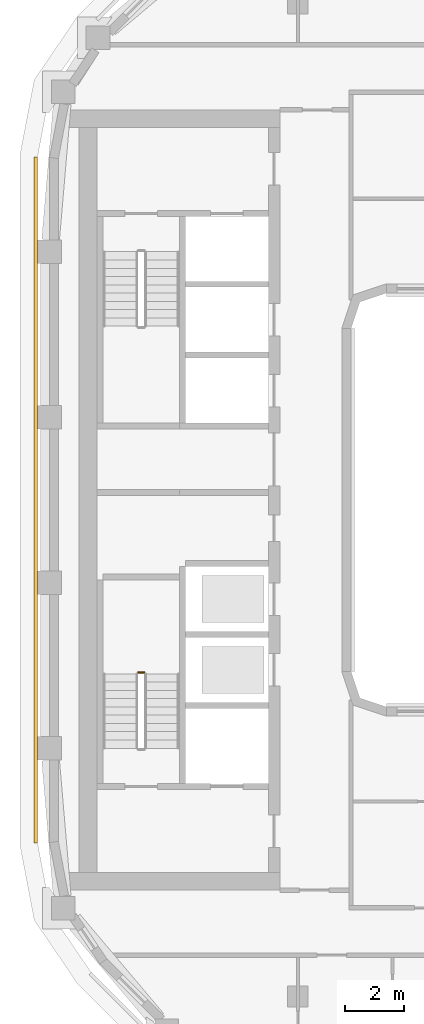
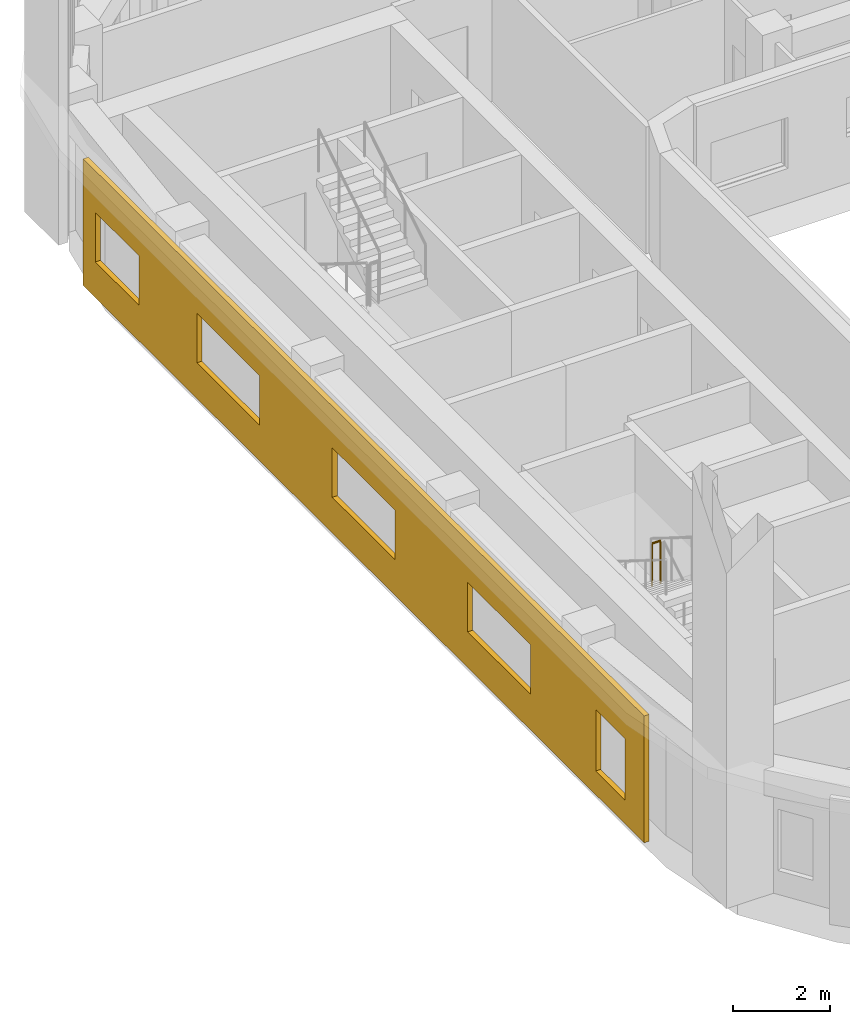
# One storey, part 12 of 19: 1 covering, 1 railing.
"""IFC4 building model written with IfcOpenShell, lengths in metres."""

import ifcopenshell
import ifcopenshell.guid

model = None  # the IFC model being written
_history = None  # IfcOwnerHistory: only IFC2X3 demands one
_inside = {}  # id of a spatial element -> (the spatial element, [elements in it])
_under = {}  # id of a project, library or spatial element -> (it, [spatial elements below it])
_declared = {}  # id of a project -> (the project, [libraries it declares])
_typed = {}  # id of a type object -> (the type object, [elements of that type])
_made_of = {}  # id of a material, layer set ... -> (it, [elements and type objects made of it])


def new_model(schema):
    """Start an empty IFC model of exactly this schema.

    Asked for "IFC4X3", IfcOpenShell would pick the latest addendum, in which some entities
    have other attributes; the version numbers below select the first issue.
    IFC2X3 requires an IfcOwnerHistory on every rooted entity: one is made here for all.
    """
    global model, _history
    if schema == "IFC4X3":
        model = ifcopenshell.file(schema_version=(4, 3, 0, 0))
    else:
        model = ifcopenshell.file(schema=schema)
    _inside.clear()
    _under.clear()
    _declared.clear()
    _typed.clear()
    _made_of.clear()
    _history = None
    if model.schema == "IFC2X3":
        org = make("IfcOrganization", Name="unknown")
        user = make(
            "IfcPersonAndOrganization",
            ThePerson=make("IfcPerson", FamilyName="unknown"),
            TheOrganization=org,
        )
        app = make(
            "IfcApplication",
            ApplicationDeveloper=org,
            Version="unknown",
            ApplicationFullName="unknown",
            ApplicationIdentifier="unknown",
        )
        _history = make(
            "IfcOwnerHistory",
            OwningUser=user,
            OwningApplication=app,
            ChangeAction="ADDED",
            CreationDate=0,
        )
    return model


def make(cls, **values):
    """One entity of the class cls with the attributes given. An attribute that is None is left unset."""
    return model.create_entity(
        cls, **{name: value for name, value in values.items() if value is not None}
    )


def rooted(cls, **values):
    """An entity with a GlobalId (a new one), such as an element, a storey or a relation."""
    return make(cls, GlobalId=ifcopenshell.guid.new(), OwnerHistory=_history, **values)


def si_unit(unit_type, name, prefix=None):
    """IfcSIUnit, for example si_unit("LENGTHUNIT", "METRE", prefix="MILLI")."""
    return make("IfcSIUnit", UnitType=unit_type, Prefix=prefix, Name=name)


def assignment(units):
    """IfcUnitAssignment: the units of a project."""
    return None if units is None else make("IfcUnitAssignment", Units=units)


def point(xyz):
    """IfcCartesianPoint."""
    return None if xyz is None else make("IfcCartesianPoint", Coordinates=xyz)


def direction(xyz):
    """IfcDirection."""
    return None if xyz is None else make("IfcDirection", DirectionRatios=xyz)


def frame(location, z_axis=None, x_axis=None):
    """IfcAxis2Placement3D, a coordinate frame: its origin and axes. An axis left out is left unset."""
    return make(
        "IfcAxis2Placement3D",
        Location=point(location),
        Axis=direction(z_axis),
        RefDirection=direction(x_axis),
    )


def frame_2d(location, x_axis=None):
    """IfcAxis2Placement2D, a coordinate frame in the plane: its origin and x axis."""
    return make(
        "IfcAxis2Placement2D", Location=point(location), RefDirection=direction(x_axis)
    )


def origin():
    """The frame at (0, 0, 0) with its axes left unset."""
    return frame((0.0, 0.0, 0.0))


def origin_2d():
    """The frame at (0, 0) in the plane with its x axis left unset."""
    return frame_2d((0.0, 0.0))


def place(relative_to, where):
    """IfcLocalPlacement: puts the frame where relative to a parent placement (None: the world)."""
    return make(
        "IfcLocalPlacement", PlacementRelTo=relative_to, RelativePlacement=where
    )


def context(
    kind, dimensions, precision=None, world=None, true_north=None, identifier=None
):
    """IfcGeometricRepresentationContext, for example the 3D "Model" context."""
    return make(
        "IfcGeometricRepresentationContext",
        ContextIdentifier=identifier,
        ContextType=kind,
        CoordinateSpaceDimension=dimensions,
        Precision=precision,
        WorldCoordinateSystem=world,
        TrueNorth=true_north,
    )


def subcontext(parent, identifier, kind, view, scale=None):
    """IfcGeometricRepresentationSubContext, for example "Body" below "Model"."""
    return make(
        "IfcGeometricRepresentationSubContext",
        ContextIdentifier=identifier,
        ContextType=kind,
        ParentContext=parent,
        TargetScale=scale,
        TargetView=view,
    )


def project(units=None, contexts=None):
    """IfcProject with its units and contexts."""
    return rooted(
        "IfcProject",
        Name="project",
        RepresentationContexts=contexts,
        UnitsInContext=assignment(units),
    )


def spatial(cls, under=None, at=None, **own):
    """A site, building, storey or space (cls), placed at a placement, below another one or the project."""
    s = rooted(cls, ObjectPlacement=at, **own)
    if under is not None:
        _under.setdefault(under.id(), (under, []))[1].append(s)
    return s


def polyline(points):
    """IfcPolyline through the points."""
    return make("IfcPolyline", Points=[point(p) for p in points])


def profile(cls, at=None, kind="AREA", **sizes):
    """A parametric profile (cls). Its sizes go by their IFC names, for example OverallWidth=200.0."""
    return make(cls, ProfileType=kind, Position=at, **sizes)


def circle(**sizes):
    """IfcCircleProfileDef."""
    return profile("IfcCircleProfileDef", **sizes)


def outline(outer, holes=None, kind="AREA"):
    """IfcArbitraryClosedProfileDef: a profile drawn as a closed curve; with holes, ...WithVoids."""
    if holes is None:
        return make("IfcArbitraryClosedProfileDef", ProfileType=kind, OuterCurve=outer)
    return make(
        "IfcArbitraryProfileDefWithVoids",
        ProfileType=kind,
        OuterCurve=outer,
        InnerCurves=holes,
    )


def extrude(swept, where, along, depth):
    """IfcExtrudedAreaSolid: the profile swept, set in the frame where, extruded along a direction by depth."""
    return make(
        "IfcExtrudedAreaSolid",
        SweptArea=swept,
        Position=where,
        ExtrudedDirection=direction(along),
        Depth=depth,
    )


def shape(context_of_items, identifier, shape_type, items):
    """IfcShapeRepresentation: the items that make up one representation, for example the "Body"."""
    return make(
        "IfcShapeRepresentation",
        ContextOfItems=context_of_items,
        RepresentationIdentifier=identifier,
        RepresentationType=shape_type,
        Items=items,
    )


def material(Name=None, Category=None):
    """IfcMaterial."""
    return make("IfcMaterial", Name=Name, Category=Category)


def layer(
    of_material, thickness, ventilated=None, Name=None, Category=None, Priority=None
):
    """IfcMaterialLayer: one layer of a wall or slab, of a material (None: an air gap)."""
    return make(
        "IfcMaterialLayer",
        Material=of_material,
        LayerThickness=thickness,
        IsVentilated=ventilated,
        Name=Name,
        Category=Category,
        Priority=Priority,
    )


def layer_set(layers, Name=None):
    """IfcMaterialLayerSet."""
    return make("IfcMaterialLayerSet", MaterialLayers=layers, LayerSetName=Name)


def made_of(thing, what):
    """Note that an element or type object is made of a material, layer set ...; save() writes the relation."""
    if what is not None:
        _made_of.setdefault(what.id(), (what, []))[1].append(thing)
    return thing


def type_object(cls, material=None, **own):
    """A type object (cls), such as IfcWallType, which elements share."""
    return made_of(rooted(cls, **own), material)


def element(
    cls,
    number,
    at=None,
    inside=None,
    cuts=None,
    type_object=None,
    material=None,
    context=None,
    identifier="Body",
    shape_type=None,
    held_by="IfcProductDefinitionShape",
    body=None,
    shapes=None,
    **own,
):
    """One element of the class cls, such as IfcWall. Its Tag is "e" and its number.

    at: its placement. inside: the storey or other place that contains it. cuts: it is an
    opening in that element (IfcRelVoidsElement). A single representation is given by context,
    identifier, shape_type and body (its items); several are given by shapes. held_by: the class
    of the entity that holds the representations. save() writes the other relations.
    """
    e = rooted(cls, Tag="e%d" % number, ObjectPlacement=at, **own)
    if body is not None:
        shapes = [shape(context, identifier, shape_type, body)]
    if shapes is not None:
        e.Representation = make(held_by, Representations=shapes)
    if inside is not None:
        _inside.setdefault(inside.id(), (inside, []))[1].append(e)
    if cuts is not None:
        rooted(
            "IfcRelVoidsElement", RelatingBuildingElement=cuts, RelatedOpeningElement=e
        )
    if type_object is not None:
        _typed.setdefault(type_object.id(), (type_object, []))[1].append(e)
    return made_of(e, material)


def aggregate(whole, parts):
    """IfcRelAggregates: a whole, such as a stair, and the parts it consists of."""
    return rooted("IfcRelAggregates", RelatingObject=whole, RelatedObjects=parts)


def save(model, path):
    """Write the relations noted so far, then the file.

    IfcRelAggregates (storeys below a building ...), IfcRelContainedInSpatialStructure (elements
    in a storey), IfcRelDefinesByType, IfcRelAssociatesMaterial and IfcRelDeclares: one each for
    every whole, place, type object, material and project.
    """
    for whole, parts in _under.values():
        aggregate(whole, parts)
    for where, things in _inside.values():
        rooted(
            "IfcRelContainedInSpatialStructure",
            RelatedElements=things,
            RelatingStructure=where,
        )
    for kind, things in _typed.values():
        rooted("IfcRelDefinesByType", RelatedObjects=things, RelatingType=kind)
    for what, things in _made_of.values():
        rooted("IfcRelAssociatesMaterial", RelatedObjects=things, RelatingMaterial=what)
    for by, libraries in _declared.values():
        rooted("IfcRelDeclares", RelatingContext=by, RelatedDefinitions=libraries)
    model.write(path)


model = new_model("IFC4")

# Units and contexts
model_context = context("Model", 3, precision=1e-05, world=origin(), true_north=direction((0.0, 1.0)))
body_context = subcontext(model_context, "Body", "Model", "MODEL_VIEW")
ifc_project = project(units=[si_unit("LENGTHUNIT", "METRE"), si_unit("AREAUNIT", "SQUARE_METRE"), si_unit("VOLUMEUNIT", "CUBIC_METRE"), si_unit("PLANEANGLEUNIT", "RADIAN"), si_unit("MASSUNIT", "GRAM", prefix="KILO")], contexts=[model_context])

# Site, building, storey
site_placement = place(None, origin())
site = spatial("IfcSite", under=ifc_project, at=site_placement, CompositionType="ELEMENT")
building_placement = place(site_placement, origin())
building = spatial("IfcBuilding", under=site, at=building_placement, Name="Kiln Ring Residences", CompositionType="ELEMENT")
storey_placement = place(building_placement, frame((0.0, 0.0, 241.699951171875)))
storey = spatial("IfcBuildingStorey", under=building, at=storey_placement, Name="L62", CompositionType="ELEMENT", Elevation=241.699951171875)

# Railing
ifc_material_1 = material(Name="Stainless steel", Category="steel")
railing_type = type_object("IfcRailingType", Name="CORE-STAIR-GUARD", PredefinedType="GUARDRAIL", material=ifc_material_1)
railing_placement = place(storey_placement, frame((-22.0, -5.830078125, 1.75)))
element("IfcRailing", 1, at=railing_placement, inside=storey, type_object=railing_type, Name="L62 W-STS stair guard 2", PredefinedType="GUARDRAIL", context=body_context, shape_type="SweptSolid", body=[
    extrude(circle(Radius=0.02392578125, at=origin_2d()), frame((0.0, 0.0, 1.076171875), z_axis=(-1.0, 0.0, 0.0), x_axis=(0.0, -1.0, 0.0)), (0.0, 0.0, 1.0), 0.199951171875),
    extrude(circle(Radius=0.02099609375, at=origin_2d()), origin(), (0.0, 0.0, 1.0), 1.052001953125),
    extrude(circle(Radius=0.02099609375, at=origin_2d()), frame((-0.199951171875, 0.0, 0.0)), (0.0, 0.0, 1.0), 1.052001953125),
])

# Covering
ifc_material_2 = material(Name="Brick masonry, dark clay brick", Category="masonry")
ifc_layer = layer(ifc_material_2, 0.1201171875)
ifc_layer_set = layer_set([ifc_layer], Name="RAINSCREEN PANEL 120")
covering_type = type_object("IfcCoveringType", Name="RAINSCREEN PANEL 120", PredefinedType="CLADDING", material=ifc_layer_set)
covering_placement = place(storey_placement, frame((-25.659912109375, 11.60009765625, 0.0), z_axis=(0.0, 0.0, 1.0), x_axis=(0.0, -1.0, 0.0)))
element("IfcCovering", 2, at=covering_placement, inside=storey, type_object=covering_type, Name="RAINSCREEN L62", PredefinedType="CLADDING", context=body_context, shape_type="SweptSolid", body=[
    extrude(outline(polyline([(0.0, 0.0), (23.199951171875, 0.0), (23.199951171875, 3.199951171875), (0.0, 3.199951171875), (0.0, 0.0)]), holes=[polyline([(22.39990234375, 0.60009765625), (22.39990234375, 2.150146484375), (21.199951171875, 2.150146484375), (21.199951171875, 0.60009765625), (22.39990234375, 0.60009765625)]), polyline([(2.300048828125, 0.900146484375), (2.300048828125, 2.150146484375), (0.5, 2.150146484375), (0.5, 0.900146484375), (2.300048828125, 0.900146484375)]), polyline([(7.300048828125, 0.900146484375), (7.300048828125, 2.150146484375), (4.699951171875, 2.150146484375), (4.699951171875, 0.900146484375), (7.300048828125, 0.900146484375)]), polyline([(10.300048828125, 0.900146484375), (12.89990234375, 0.900146484375), (12.89990234375, 2.150146484375), (10.300048828125, 2.150146484375), (10.300048828125, 0.900146484375)]), polyline([(15.89990234375, 0.900146484375), (18.5, 0.900146484375), (18.5, 2.150146484375), (15.89990234375, 2.150146484375), (15.89990234375, 0.900146484375)])]), frame((0.0, 0.06005859375, 0.0), z_axis=(0.0, -1.0, 0.0), x_axis=(1.0, 0.0, 0.0)), (0.0, 0.0, 1.0), 0.1201171875),
])

save(model, "model.ifc")
